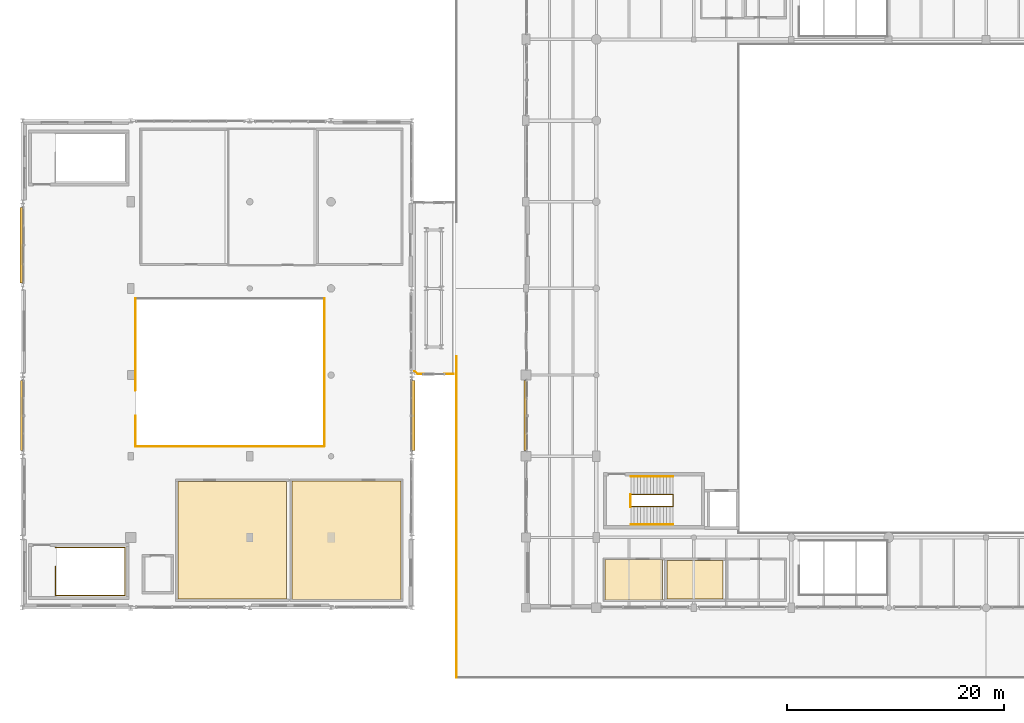
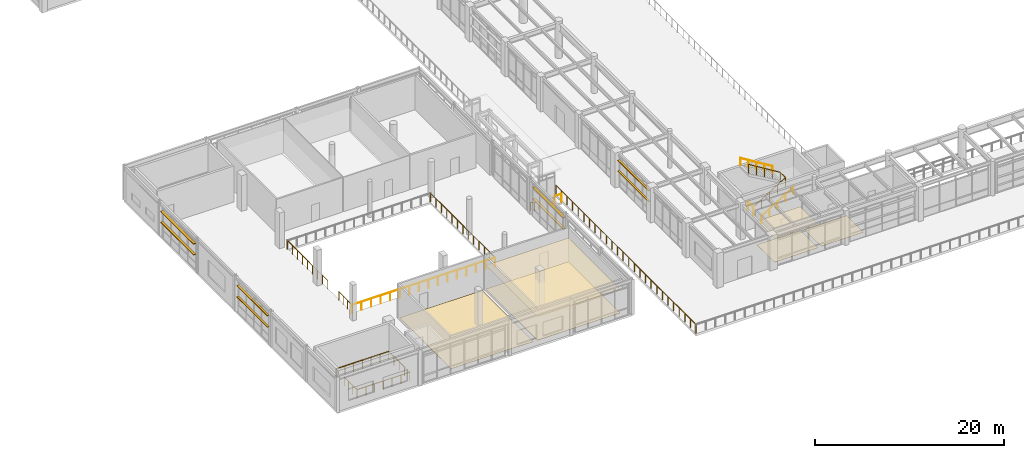
# One storey, part 190 of 200: 12 railings, 8 shading devices, 6 coverings.
"""IFC4 building model written with IfcOpenShell, lengths in metres."""

from ifc_helpers import new_model, si_unit, direction, frame, origin, origin_2d, place, context, subcontext, project, spatial, polyline, rectangle, circle, outline, extrude, material, layer, layer_set, type_object, element, save


model = new_model("IFC4")

# Units and contexts
model_context = context("Model", 3, precision=1e-05, world=origin(), true_north=direction((0.0, 1.0)))
body_context = subcontext(model_context, "Body", "Model", "MODEL_VIEW")
ifc_project = project(units=[si_unit("LENGTHUNIT", "METRE"), si_unit("AREAUNIT", "SQUARE_METRE"), si_unit("VOLUMEUNIT", "CUBIC_METRE"), si_unit("PLANEANGLEUNIT", "RADIAN"), si_unit("MASSUNIT", "GRAM", prefix="KILO"), si_unit("THERMODYNAMICTEMPERATUREUNIT", "KELVIN"), si_unit("POWERUNIT", "WATT")], contexts=[model_context])

# Site, building, storey
site_placement = place(None, origin())
site = spatial("IfcSite", under=ifc_project, at=site_placement, CompositionType="ELEMENT")
building_placement = place(site_placement, origin())
building = spatial("IfcBuilding", under=site, at=building_placement, Name="Tepalcoro Natatorium and Aquatics Centre", CompositionType="ELEMENT")
storey_placement = place(building_placement, frame((0.0, 0.0, 5.39990234375)))
storey = spatial("IfcBuildingStorey", under=building, at=storey_placement, Name="L01", CompositionType="ELEMENT", Elevation=5.39990234375)

# Railings
ifc_material_1 = material(Name="Marine-Grade Brushed Stainless Steel AISI 316L", Category="steel")
railing_type_1 = type_object("IfcRailingType", Name="BL_GLASS_1100", PredefinedType="BALUSTRADE", material=ifc_material_1)
railing_1_placement = place(storey_placement, frame((10.419921875, 21.419921875, 0.0)))
element("IfcRailing", 1, at=railing_1_placement, inside=storey, type_object=railing_type_1, Name="V3 L01 Grand Civic Atrium Mezzanine Balustrade (S)", PredefinedType="BALUSTRADE", context=body_context, shape_type="SweptSolid", body=[
    extrude(circle(Radius=0.02392578125, at=origin_2d()), frame((0.0, 0.0, 1.09619140625), z_axis=(1.0, 0.0, 0.0), x_axis=(0.0, 1.0, 0.0)), (0.0, 0.0, 1.0), 17.4599609375),
    extrude(circle(Radius=0.02099609375, at=origin_2d()), origin(), (0.0, 0.0, 1.0), 1.072021484375),
    extrude(circle(Radius=0.02099609375, at=origin_2d()), frame((1.1640625, 0.0, 0.0)), (0.0, 0.0, 1.0), 1.072021484375),
    extrude(circle(Radius=0.02099609375, at=origin_2d()), frame((2.327880859375, 0.0, 0.0)), (0.0, 0.0, 1.0), 1.072021484375),
    extrude(circle(Radius=0.02099609375, at=origin_2d()), frame((3.491943359375, 0.0, 0.0)), (0.0, 0.0, 1.0), 1.072021484375),
    extrude(circle(Radius=0.02099609375, at=origin_2d()), frame((4.656005859375, 0.0, 0.0)), (0.0, 0.0, 1.0), 1.072021484375),
    extrude(circle(Radius=0.02099609375, at=origin_2d()), frame((5.820068359375, 0.0, 0.0)), (0.0, 0.0, 1.0), 1.072021484375),
    extrude(circle(Radius=0.02099609375, at=origin_2d()), frame((6.98388671875, 0.0, 0.0)), (0.0, 0.0, 1.0), 1.072021484375),
    extrude(circle(Radius=0.02099609375, at=origin_2d()), frame((8.14794921875, 0.0, 0.0)), (0.0, 0.0, 1.0), 1.072021484375),
    extrude(circle(Radius=0.02099609375, at=origin_2d()), frame((9.31201171875, 0.0, 0.0)), (0.0, 0.0, 1.0), 1.072021484375),
    extrude(circle(Radius=0.02099609375, at=origin_2d()), frame((10.47607421875, 0.0, 0.0)), (0.0, 0.0, 1.0), 1.072021484375),
    extrude(circle(Radius=0.02099609375, at=origin_2d()), frame((11.639892578125, 0.0, 0.0)), (0.0, 0.0, 1.0), 1.072021484375),
    extrude(circle(Radius=0.02099609375, at=origin_2d()), frame((12.803955078125, 0.0, 0.0)), (0.0, 0.0, 1.0), 1.072021484375),
    extrude(circle(Radius=0.02099609375, at=origin_2d()), frame((13.968017578125, 0.0, 0.0)), (0.0, 0.0, 1.0), 1.072021484375),
    extrude(circle(Radius=0.02099609375, at=origin_2d()), frame((15.132080078125, 0.0, 0.0)), (0.0, 0.0, 1.0), 1.072021484375),
    extrude(circle(Radius=0.02099609375, at=origin_2d()), frame((16.2958984375, 0.0, 0.0)), (0.0, 0.0, 1.0), 1.072021484375),
    extrude(circle(Radius=0.02099609375, at=origin_2d()), frame((17.4599609375, 0.0, 0.0)), (0.0, 0.0, 1.0), 1.072021484375),
])
railing_2_placement = place(storey_placement, frame((27.8798828125, 21.419921875, 0.0)))
element("IfcRailing", 2, at=railing_2_placement, inside=storey, type_object=railing_type_1, Name="V3 L01 Grand Civic Atrium Mezzanine Balustrade (E)", PredefinedType="BALUSTRADE", context=body_context, shape_type="SweptSolid", body=[
    extrude(circle(Radius=0.02392578125, at=origin_2d()), frame((0.0, 0.0, 1.09619140625), z_axis=(0.0, 1.0, 0.0), x_axis=(-1.0, 0.0, 0.0)), (0.0, 0.0, 1.0), 13.66015625),
    extrude(circle(Radius=0.02099609375, at=origin_2d()), origin(), (0.0, 0.0, 1.0), 1.072021484375),
    extrude(circle(Radius=0.02099609375, at=origin_2d()), frame((0.0, 1.138427734375, 0.0)), (0.0, 0.0, 1.0), 1.072021484375),
    extrude(circle(Radius=0.02099609375, at=origin_2d()), frame((0.0, 2.276611328125, 0.0)), (0.0, 0.0, 1.0), 1.072021484375),
    extrude(circle(Radius=0.02099609375, at=origin_2d()), frame((0.0, 3.4150390625, 0.0)), (0.0, 0.0, 1.0), 1.072021484375),
    extrude(circle(Radius=0.02099609375, at=origin_2d()), frame((0.0, 4.553466796875, 0.0)), (0.0, 0.0, 1.0), 1.072021484375),
    extrude(circle(Radius=0.02099609375, at=origin_2d()), frame((0.0, 5.691650390625, 0.0)), (0.0, 0.0, 1.0), 1.072021484375),
    extrude(circle(Radius=0.02099609375, at=origin_2d()), frame((0.0, 6.830078125, 0.0)), (0.0, 0.0, 1.0), 1.072021484375),
    extrude(circle(Radius=0.02099609375, at=origin_2d()), frame((0.0, 7.968505859375, 0.0)), (0.0, 0.0, 1.0), 1.072021484375),
    extrude(circle(Radius=0.02099609375, at=origin_2d()), frame((0.0, 9.106689453125, 0.0)), (0.0, 0.0, 1.0), 1.072021484375),
    extrude(circle(Radius=0.02099609375, at=origin_2d()), frame((0.0, 10.2451171875, 0.0)), (0.0, 0.0, 1.0), 1.072021484375),
    extrude(circle(Radius=0.02099609375, at=origin_2d()), frame((0.0, 11.383544921875, 0.0)), (0.0, 0.0, 1.0), 1.072021484375),
    extrude(circle(Radius=0.02099609375, at=origin_2d()), frame((0.0, 12.521728515625, 0.0)), (0.0, 0.0, 1.0), 1.072021484375),
    extrude(circle(Radius=0.02099609375, at=origin_2d()), frame((0.0, 13.66015625, 0.0)), (0.0, 0.0, 1.0), 1.072021484375),
])
railing_3_placement = place(storey_placement, frame((10.419921875, 35.080078125, 0.0)))
element("IfcRailing", 3, at=railing_3_placement, inside=storey, type_object=railing_type_1, Name="V3 L01 Grand Civic Atrium Mezzanine Balustrade (W-1)", PredefinedType="BALUSTRADE", context=body_context, shape_type="SweptSolid", body=[
    extrude(circle(Radius=0.02392578125, at=origin_2d()), frame((0.0, 0.0, 1.09619140625), z_axis=(0.0, -1.0, 0.0), x_axis=(1.0, 0.0, 0.0)), (0.0, 0.0, 1.0), 8.5),
    extrude(circle(Radius=0.02099609375, at=origin_2d()), origin(), (0.0, 0.0, 1.0), 1.072021484375),
    extrude(circle(Radius=0.02099609375, at=origin_2d()), frame((0.0, -1.0625, 0.0)), (0.0, 0.0, 1.0), 1.072021484375),
    extrude(circle(Radius=0.02099609375, at=origin_2d()), frame((0.0, -2.125, 0.0)), (0.0, 0.0, 1.0), 1.072021484375),
    extrude(circle(Radius=0.02099609375, at=origin_2d()), frame((0.0, -3.1875, 0.0)), (0.0, 0.0, 1.0), 1.072021484375),
    extrude(circle(Radius=0.02099609375, at=origin_2d()), frame((0.0, -4.25, 0.0)), (0.0, 0.0, 1.0), 1.072021484375),
    extrude(circle(Radius=0.02099609375, at=origin_2d()), frame((0.0, -5.3125, 0.0)), (0.0, 0.0, 1.0), 1.072021484375),
    extrude(circle(Radius=0.02099609375, at=origin_2d()), frame((0.0, -6.375, 0.0)), (0.0, 0.0, 1.0), 1.072021484375),
    extrude(circle(Radius=0.02099609375, at=origin_2d()), frame((0.0, -7.4375, 0.0)), (0.0, 0.0, 1.0), 1.072021484375),
    extrude(circle(Radius=0.02099609375, at=origin_2d()), frame((0.0, -8.5, 0.0)), (0.0, 0.0, 1.0), 1.072021484375),
])
railing_4_placement = place(storey_placement, frame((10.419921875, 24.22998046875, 0.0)))
element("IfcRailing", 4, at=railing_4_placement, inside=storey, type_object=railing_type_1, Name="V3 L01 Grand Civic Atrium Mezzanine Balustrade (W-2)", PredefinedType="BALUSTRADE", context=body_context, shape_type="SweptSolid", body=[
    extrude(circle(Radius=0.02392578125, at=origin_2d()), frame((0.0, 0.0, 1.09619140625), z_axis=(0.0, -1.0, 0.0), x_axis=(1.0, 0.0, 0.0)), (0.0, 0.0, 1.0), 2.81005859375),
    extrude(circle(Radius=0.02099609375, at=origin_2d()), origin(), (0.0, 0.0, 1.0), 1.072021484375),
    extrude(circle(Radius=0.02099609375, at=origin_2d()), frame((0.0, -0.936767578125, 0.0)), (0.0, 0.0, 1.0), 1.072021484375),
    extrude(circle(Radius=0.02099609375, at=origin_2d()), frame((0.0, -1.873291015625, 0.0)), (0.0, 0.0, 1.0), 1.072021484375),
    extrude(circle(Radius=0.02099609375, at=origin_2d()), frame((0.0, -2.81005859375, 0.0)), (0.0, 0.0, 1.0), 1.072021484375),
])

# Coverings
ifc_material_2 = material(Name="Perforated Corrosion-Resistant Acoustic Aluminium Baffle Ceiling", Category="aluminium")
ifc_layer_1 = layer(ifc_material_2, 0.044921875)
ifc_layer_set_1 = layer_set([ifc_layer_1], Name="Perforated Corrosion-Resistant Acoustic Aluminium Baffle Ceiling")
covering_type_1 = type_object("IfcCoveringType", Name="CL_BAFFLE_120", PredefinedType="CEILING", material=ifc_layer_set_1)
covering_1_placement = place(storey_placement, frame((0.0, 0.0, 3.050048828125)))
element("IfcCovering", 5, at=covering_1_placement, inside=storey, type_object=covering_type_1, Name="Herbal Tepidarium & Cold Plunge Relaxation Hall Suspended Ceiling", PredefinedType="CEILING", context=body_context, shape_type="SweptSolid", body=[
    extrude(outline(polyline([(24.8798828125, 7.2900390625), (24.8798828125, 18.2099609375), (34.969970703125, 18.2099609375), (34.969970703125, 7.2900390625), (24.8798828125, 7.2900390625)])), origin(), (0.0, 0.0, 1.0), 0.045166015625),
])
ifc_layer_2 = layer(ifc_material_2, 0.0400390625)
ifc_layer_set_2 = layer_set([ifc_layer_2], Name="Perforated Corrosion-Resistant Acoustic Aluminium Baffle Ceiling")
covering_type_2 = type_object("IfcCoveringType", Name="CL_PERF_AL_40", PredefinedType="CEILING", material=ifc_layer_set_2)
covering_2_placement = place(storey_placement, frame((0.0, 0.0, 3.050048828125)))
element("IfcCovering", 6, at=covering_2_placement, inside=storey, type_object=covering_type_2, Name="South Concourse Refreshment Kiosk West Suspended Ceiling", PredefinedType="CEILING", context=body_context, shape_type="SweptSolid", body=[
    extrude(outline(polyline([(53.780029296875, 7.239990234375), (53.780029296875, 10.9599609375), (59.0869140625, 10.9599609375), (59.0869140625, 7.239990234375), (53.780029296875, 7.239990234375)])), origin(), (0.0, 0.0, 1.0), 0.0400390625),
])
ifc_material_3 = material(Name="Slip-Resistant Porcelain Aquatic Deck Tile")
ifc_layer_3 = layer(ifc_material_3, 0.02197265625)
ifc_layer_set_3 = layer_set([ifc_layer_3], Name="Slip-Resistant Porcelain Aquatic Deck Tile")
covering_type_3 = type_object("IfcCoveringType", Name="FL_DECK_TILE_22", PredefinedType="FLOORING", material=ifc_layer_set_3)
covering_3_placement = place(storey_placement, origin())
element("IfcCovering", 7, at=covering_3_placement, inside=storey, type_object=covering_type_3, Name="South Concourse Refreshment Kiosk West Floor Finish", PredefinedType="FLOORING", context=body_context, shape_type="SweptSolid", body=[
    extrude(outline(polyline([(53.780029296875, 7.239990234375), (53.780029296875, 10.9599609375), (59.0869140625, 10.9599609375), (59.0869140625, 7.239990234375), (53.780029296875, 7.239990234375)])), origin(), (0.0, 0.0, 1.0), 0.022216796875),
])
ifc_material_4 = material(Name="Polished Jalisco Basalt Aggregate Terrazzo Flooring", Category="masonry")
ifc_layer_4 = layer(ifc_material_4, 0.028076171875)
ifc_layer_set_4 = layer_set([ifc_layer_4], Name="Polished Jalisco Basalt Aggregate Terrazzo Flooring")
covering_type_4 = type_object("IfcCoveringType", Name="FL_TERRAZZO_25", PredefinedType="FLOORING", material=ifc_layer_set_4)
covering_4_placement = place(storey_placement, origin())
element("IfcCovering", 8, at=covering_4_placement, inside=storey, type_object=covering_type_4, Name="Herbal Tepidarium & Cold Plunge Relaxation Hall Floor Finish", PredefinedType="FLOORING", context=body_context, shape_type="SweptSolid", body=[
    extrude(outline(polyline([(24.8798828125, 7.2900390625), (24.8798828125, 18.2099609375), (34.969970703125, 18.2099609375), (34.969970703125, 7.2900390625), (24.8798828125, 7.2900390625)])), origin(), (0.0, 0.0, 1.0), 0.028076171875),
])
ifc_material_5 = material(Name="Sprung Maple Sports Floor Assembly")
ifc_layer_5 = layer(ifc_material_5, 0.02392578125)
ifc_layer_set_5 = layer_set([ifc_layer_5], Name="Sprung Maple Sports Floor Assembly")
covering_type_5 = type_object("IfcCoveringType", Name="FL_WOOD_22", PredefinedType="FLOORING", material=ifc_layer_set_5)
covering_5_placement = place(storey_placement, origin())
element("IfcCovering", 9, at=covering_5_placement, inside=storey, type_object=covering_type_5, Name="Spectator Male & Female Toilets SW Floor Finish", PredefinedType="FLOORING", context=body_context, shape_type="SweptSolid", body=[
    extrude(outline(polyline([(59.51708984375, 7.31005859375), (59.51708984375, 10.889892578125), (64.68310546875, 10.889892578125), (64.68310546875, 7.31005859375), (59.51708984375, 7.31005859375)])), origin(), (0.0, 0.0, 1.0), 0.024169921875),
])
covering_6_placement = place(storey_placement, origin())
element("IfcCovering", 10, at=covering_6_placement, inside=storey, type_object=covering_type_5, Name="Thermal Bathhouse Volcanic Steam & Sauna Suite Floor Finish", PredefinedType="FLOORING", context=body_context, shape_type="SweptSolid", body=[
    extrude(outline(polyline([(14.35009765625, 7.31005859375), (14.35009765625, 18.18994140625), (24.39990234375, 18.18994140625), (24.39990234375, 7.31005859375), (14.35009765625, 7.31005859375)])), origin(), (0.0, 0.0, 1.0), 0.024169921875),
])

# Railings
railing_type_2 = type_object("IfcRailingType", Name="RL_GLASS_1100", PredefinedType="GUARDRAIL", material=ifc_material_1)
railing_5_placement = place(storey_placement, frame((3.06005859375, 10.330078125, 0.0)))
element("IfcRailing", 11, at=railing_5_placement, inside=storey, type_object=railing_type_2, Name="ST05 Top Floor Stairwell Guardrail (L01)", PredefinedType="GUARDRAIL", context=body_context, shape_type="SweptSolid", body=[
    extrude(circle(Radius=0.02392578125, at=origin_2d()), frame((0.0, 0.0, 1.09619140625), z_axis=(0.0, -1.0, 0.0), x_axis=(1.0, 0.0, 0.0)), (0.0, 0.0, 1.0), 2.7001953125),
    extrude(circle(Radius=0.02392578125, at=origin_2d()), frame((0.0, -2.7001953125, 1.09619140625), z_axis=(1.0, 0.0, 0.0), x_axis=(0.0, 1.0, 0.0)), (0.0, 0.0, 1.0), 6.429931640625),
    extrude(circle(Radius=0.02392578125, at=origin_2d()), frame((6.429931640625, -2.7001953125, 1.09619140625), z_axis=(0.0, 1.0, 0.0), x_axis=(-1.0, 0.0, 0.0)), (0.0, 0.0, 1.0), 4.440185546875),
    extrude(circle(Radius=0.02392578125, at=origin_2d()), frame((6.429931640625, 1.739990234375, 1.09619140625), z_axis=(-1.0, 0.0, 0.0), x_axis=(0.0, -1.0, 0.0)), (0.0, 0.0, 1.0), 6.429931640625),
    extrude(circle(Radius=0.02099609375, at=origin_2d()), origin(), (0.0, 0.0, 1.0), 1.072021484375),
    extrude(circle(Radius=0.02099609375, at=origin_2d()), frame((0.0, -0.900146484375, 0.0)), (0.0, 0.0, 1.0), 1.072021484375),
    extrude(circle(Radius=0.02099609375, at=origin_2d()), frame((0.0, -1.800048828125, 0.0)), (0.0, 0.0, 1.0), 1.072021484375),
    extrude(circle(Radius=0.02099609375, at=origin_2d()), frame((0.0, -2.7001953125, 0.0)), (0.0, 0.0, 1.0), 1.072021484375),
    extrude(circle(Radius=0.02099609375, at=origin_2d()), frame((1.07177734375, -2.7001953125, 0.0)), (0.0, 0.0, 1.0), 1.072021484375),
    extrude(circle(Radius=0.02099609375, at=origin_2d()), frame((2.143310546875, -2.7001953125, 0.0)), (0.0, 0.0, 1.0), 1.072021484375),
    extrude(circle(Radius=0.02099609375, at=origin_2d()), frame((3.21484375, -2.7001953125, 0.0)), (0.0, 0.0, 1.0), 1.072021484375),
    extrude(circle(Radius=0.02099609375, at=origin_2d()), frame((4.28662109375, -2.7001953125, 0.0)), (0.0, 0.0, 1.0), 1.072021484375),
    extrude(circle(Radius=0.02099609375, at=origin_2d()), frame((5.3583984375, -2.7001953125, 0.0)), (0.0, 0.0, 1.0), 1.072021484375),
    extrude(circle(Radius=0.02099609375, at=origin_2d()), frame((6.429931640625, -2.7001953125, 0.0)), (0.0, 0.0, 1.0), 1.072021484375),
    extrude(circle(Radius=0.02099609375, at=origin_2d()), frame((6.429931640625, -1.590087890625, 0.0)), (0.0, 0.0, 1.0), 1.072021484375),
    extrude(circle(Radius=0.02099609375, at=origin_2d()), frame((6.429931640625, -0.47998046875, 0.0)), (0.0, 0.0, 1.0), 1.072021484375),
    extrude(circle(Radius=0.02099609375, at=origin_2d()), frame((6.429931640625, 0.6298828125, 0.0)), (0.0, 0.0, 1.0), 1.072021484375),
    extrude(circle(Radius=0.02099609375, at=origin_2d()), frame((6.429931640625, 1.739990234375, 0.0)), (0.0, 0.0, 1.0), 1.072021484375),
    extrude(circle(Radius=0.02099609375, at=origin_2d()), frame((5.3583984375, 1.739990234375, 0.0)), (0.0, 0.0, 1.0), 1.072021484375),
    extrude(circle(Radius=0.02099609375, at=origin_2d()), frame((4.28662109375, 1.739990234375, 0.0)), (0.0, 0.0, 1.0), 1.072021484375),
    extrude(circle(Radius=0.02099609375, at=origin_2d()), frame((3.21484375, 1.739990234375, 0.0)), (0.0, 0.0, 1.0), 1.072021484375),
    extrude(circle(Radius=0.02099609375, at=origin_2d()), frame((2.143310546875, 1.739990234375, 0.0)), (0.0, 0.0, 1.0), 1.072021484375),
    extrude(circle(Radius=0.02099609375, at=origin_2d()), frame((1.07177734375, 1.739990234375, 0.0)), (0.0, 0.0, 1.0), 1.072021484375),
    extrude(circle(Radius=0.02099609375, at=origin_2d()), frame((0.0, 1.739990234375, 0.0)), (0.0, 0.0, 1.0), 1.072021484375),
])
railing_6_placement = place(storey_placement, frame((36.2099609375, 28.35009765625, 0.0)))
element("IfcRailing", 12, at=railing_6_placement, inside=storey, type_object=railing_type_2, Name="West Foyer Seismic Link L01 Seismic Joint Edge Guard SW", PredefinedType="GUARDRAIL", context=body_context, shape_type="SweptSolid", body=[
    extrude(circle(Radius=0.02392578125, at=origin_2d()), frame((0.0, 0.0, 1.09619140625), z_axis=(0.743324219436, -0.668931315457, 0.0), x_axis=(0.668931315457, 0.743324219436, 0.0)), (0.0, 0.0, 1.0), 0.403564453125),
    extrude(circle(Radius=0.02392578125, at=origin_2d()), frame((0.300048828125, -0.27001953125, 1.09619140625), z_axis=(1.0, 0.0, 0.0), x_axis=(0.0, 1.0, 0.0)), (0.0, 0.0, 1.0), 0.5400390625),
    extrude(circle(Radius=0.02099609375, at=origin_2d()), origin(), (0.0, 0.0, 1.0), 1.072021484375),
    extrude(circle(Radius=0.02099609375, at=origin_2d()), frame((0.300048828125, -0.27001953125, 0.0)), (0.0, 0.0, 1.0), 1.072021484375),
    extrude(circle(Radius=0.02099609375, at=origin_2d()), frame((0.840087890625, -0.27001953125, 0.0)), (0.0, 0.0, 1.0), 1.072021484375),
])
railing_7_placement = place(storey_placement, frame((38.949951171875, 28.080078125, 0.0)))
element("IfcRailing", 13, at=railing_7_placement, inside=storey, type_object=railing_type_2, Name="West Foyer Seismic Link L01 Seismic Joint Edge Guard SE", PredefinedType="GUARDRAIL", context=body_context, shape_type="SweptSolid", body=[
    extrude(circle(Radius=0.02392578125, at=origin_2d()), frame((0.0, 0.0, 1.09619140625), z_axis=(1.0, 0.0, 0.0), x_axis=(0.0, 1.0, 0.0)), (0.0, 0.0, 1.0), 0.860107421875),
    extrude(circle(Radius=0.02099609375, at=origin_2d()), origin(), (0.0, 0.0, 1.0), 1.072021484375),
    extrude(circle(Radius=0.02099609375, at=origin_2d()), frame((0.860107421875, 0.0, 0.0)), (0.0, 0.0, 1.0), 1.072021484375),
])
railing_type_3 = type_object("IfcRailingType", Name="RL_HAND_920_SS", PredefinedType="HANDRAIL", material=ifc_material_1)
railing_8_placement = place(storey_placement, frame((56.199951171875, 14.179931640625, 0.0)))
element("IfcRailing", 14, at=railing_8_placement, inside=storey, type_object=railing_type_3, Name="ST01-L01 Wall Handrail F1", PredefinedType="HANDRAIL", context=body_context, shape_type="SweptSolid", body=[
    extrude(circle(Radius=0.02392578125, at=origin_2d()), frame((0.0, 0.0, 0.89599609375), z_axis=(0.851652825334, 0.0, 0.524106349037), x_axis=(0.0, 1.0, 0.0)), (0.0, 0.0, 1.0), 4.57958984375),
    extrude(circle(Radius=0.02099609375, at=origin_2d()), origin(), (0.0, 0.0, 1.0), 0.871826171875),
    extrude(circle(Radius=0.02099609375, at=origin_2d()), frame((0.97509765625, 0.0, 0.60009765625)), (0.0, 0.0, 1.0), 0.871826171875),
    extrude(circle(Radius=0.02099609375, at=origin_2d()), frame((1.9501953125, 0.0, 1.2001953125)), (0.0, 0.0, 1.0), 0.871826171875),
    extrude(circle(Radius=0.02099609375, at=origin_2d()), frame((2.925048828125, 0.0, 1.800048828125)), (0.0, 0.0, 1.0), 0.871826171875),
    extrude(circle(Radius=0.02099609375, at=origin_2d()), frame((3.900146484375, 0.0, 2.400146484375)), (0.0, 0.0, 1.0), 0.871826171875),
])
railing_9_placement = place(storey_placement, frame((60.10009765625, 18.6201171875, 2.400146484375)))
element("IfcRailing", 15, at=railing_9_placement, inside=storey, type_object=railing_type_3, Name="ST01-L01 Wall Handrail F2", PredefinedType="HANDRAIL", context=body_context, shape_type="SweptSolid", body=[
    extrude(circle(Radius=0.02392578125, at=origin_2d()), frame((0.0, 0.0, 0.89599609375), z_axis=(-0.851676621109, 0.0, 0.524067679844), x_axis=(0.0, -1.0, 0.0)), (0.0, 0.0, 1.0), 4.579345703125),
    extrude(circle(Radius=0.02099609375, at=origin_2d()), origin(), (0.0, 0.0, 1.0), 0.871826171875),
    extrude(circle(Radius=0.02099609375, at=origin_2d()), frame((-0.97509765625, 0.0, 0.60009765625)), (0.0, 0.0, 1.0), 0.871826171875),
    extrude(circle(Radius=0.02099609375, at=origin_2d()), frame((-1.9501953125, 0.0, 1.199951171875)), (0.0, 0.0, 1.0), 0.871826171875),
    extrude(circle(Radius=0.02099609375, at=origin_2d()), frame((-2.925048828125, 0.0, 1.7998046875)), (0.0, 0.0, 1.0), 0.871826171875),
    extrude(circle(Radius=0.02099609375, at=origin_2d()), frame((-3.900146484375, 0.0, 2.39990234375)), (0.0, 0.0, 1.0), 0.871826171875),
])
railing_type_4 = type_object("IfcRailingType", Name="RL_PERF_1100", PredefinedType="GUARDRAIL", material=ifc_material_1)
railing_10_placement = place(storey_placement, frame((56.199951171875, 15.85009765625, 0.0)))
element("IfcRailing", 16, at=railing_10_placement, inside=storey, type_object=railing_type_4, Name="ST01-L01 Inner Stairwell Guardrail", PredefinedType="GUARDRAIL", context=body_context, shape_type="SweptSolid", body=[
    extrude(circle(Radius=0.02392578125, at=origin_2d()), frame((0.0, 0.0, 1.11572265625), z_axis=(0.851652825334, 0.0, 0.524106349037), x_axis=(0.0, 1.0, 0.0)), (0.0, 0.0, 1.0), 4.57958984375),
    extrude(circle(Radius=0.02392578125, at=origin_2d()), frame((3.900146484375, 0.0, 3.51611328125), z_axis=(0.0, 1.0, 0.0), x_axis=(-1.0, 0.0, 0.0)), (0.0, 0.0, 1.0), 1.099853515625),
    extrude(circle(Radius=0.02392578125, at=origin_2d()), frame((3.900146484375, 1.099853515625, 3.51611328125), z_axis=(-0.851676621109, 0.0, 0.524067679844), x_axis=(0.0, -1.0, 0.0)), (0.0, 0.0, 1.0), 4.579345703125),
    extrude(circle(Radius=0.02099609375, at=origin_2d()), origin(), (0.0, 0.0, 1.0), 1.091796875),
    extrude(circle(Radius=0.02099609375, at=origin_2d()), frame((0.97509765625, 0.0, 0.60009765625)), (0.0, 0.0, 1.0), 1.091796875),
    extrude(circle(Radius=0.02099609375, at=origin_2d()), frame((1.9501953125, 0.0, 1.2001953125)), (0.0, 0.0, 1.0), 1.091796875),
    extrude(circle(Radius=0.02099609375, at=origin_2d()), frame((2.925048828125, 0.0, 1.800048828125)), (0.0, 0.0, 1.0), 1.091796875),
    extrude(circle(Radius=0.02099609375, at=origin_2d()), frame((3.900146484375, 0.0, 2.400146484375)), (0.0, 0.0, 1.0), 1.091796875),
    extrude(circle(Radius=0.02099609375, at=origin_2d()), frame((3.900146484375, 1.099853515625, 2.400146484375)), (0.0, 0.0, 1.0), 1.091796875),
    extrude(circle(Radius=0.02099609375, at=origin_2d()), frame((2.925048828125, 1.099853515625, 3.0)), (0.0, 0.0, 1.0), 1.091796875),
    extrude(circle(Radius=0.02099609375, at=origin_2d()), frame((1.9501953125, 1.099853515625, 3.60009765625)), (0.0, 0.0, 1.0), 1.091796875),
    extrude(circle(Radius=0.02099609375, at=origin_2d()), frame((0.97509765625, 1.099853515625, 4.2001953125)), (0.0, 0.0, 1.0), 1.091796875),
    extrude(circle(Radius=0.02099609375, at=origin_2d()), frame((0.0, 1.099853515625, 4.800048828125)), (0.0, 0.0, 1.0), 1.091796875),
])
railing_11_placement = place(storey_placement, frame((56.169921875, 15.81005859375, 0.0)))
element("IfcRailing", 17, at=railing_11_placement, inside=storey, type_object=railing_type_4, Name="ST01-L01 Landing Well Slot Guard", PredefinedType="GUARDRAIL", context=body_context, shape_type="SweptSolid", body=[
    extrude(circle(Radius=0.02392578125, at=origin_2d()), frame((0.0, 0.0, 1.11572265625), z_axis=(0.0, 1.0, 0.0), x_axis=(-1.0, 0.0, 0.0)), (0.0, 0.0, 1.0), 1.179931640625),
    extrude(circle(Radius=0.02099609375, at=origin_2d()), origin(), (0.0, 0.0, 1.0), 1.091796875),
    extrude(circle(Radius=0.02099609375, at=origin_2d()), frame((0.0, 1.179931640625, 0.0)), (0.0, 0.0, 1.0), 1.091796875),
])
railing_12_placement = place(storey_placement, frame((40.080078125, 29.719970703125, 0.0)))
element("IfcRailing", 18, at=railing_12_placement, inside=storey, type_object=railing_type_4, Name="V1 L01 Planted Terrace Perimeter Guardrail (W-2)", PredefinedType="GUARDRAIL", context=body_context, shape_type="SweptSolid", body=[
    extrude(circle(Radius=0.02392578125, at=origin_2d()), frame((0.0, 0.0, 1.11572265625), z_axis=(0.0, -1.0, 0.0), x_axis=(1.0, 0.0, 0.0)), (0.0, 0.0, 1.0), 29.639892578125),
    extrude(circle(Radius=0.02099609375, at=origin_2d()), origin(), (0.0, 0.0, 1.0), 1.091796875),
    extrude(circle(Radius=0.02099609375, at=origin_2d()), frame((0.0, -1.185546875, 0.0)), (0.0, 0.0, 1.0), 1.091796875),
    extrude(circle(Radius=0.02099609375, at=origin_2d()), frame((0.0, -2.37109375, 0.0)), (0.0, 0.0, 1.0), 1.091796875),
    extrude(circle(Radius=0.02099609375, at=origin_2d()), frame((0.0, -3.556884765625, 0.0)), (0.0, 0.0, 1.0), 1.091796875),
    extrude(circle(Radius=0.02099609375, at=origin_2d()), frame((0.0, -4.742431640625, 0.0)), (0.0, 0.0, 1.0), 1.091796875),
    extrude(circle(Radius=0.02099609375, at=origin_2d()), frame((0.0, -5.927978515625, 0.0)), (0.0, 0.0, 1.0), 1.091796875),
    extrude(circle(Radius=0.02099609375, at=origin_2d()), frame((0.0, -7.113525390625, 0.0)), (0.0, 0.0, 1.0), 1.091796875),
    extrude(circle(Radius=0.02099609375, at=origin_2d()), frame((0.0, -8.299072265625, 0.0)), (0.0, 0.0, 1.0), 1.091796875),
    extrude(circle(Radius=0.02099609375, at=origin_2d()), frame((0.0, -9.48486328125, 0.0)), (0.0, 0.0, 1.0), 1.091796875),
    extrude(circle(Radius=0.02099609375, at=origin_2d()), frame((0.0, -10.67041015625, 0.0)), (0.0, 0.0, 1.0), 1.091796875),
    extrude(circle(Radius=0.02099609375, at=origin_2d()), frame((0.0, -11.85595703125, 0.0)), (0.0, 0.0, 1.0), 1.091796875),
    extrude(circle(Radius=0.02099609375, at=origin_2d()), frame((0.0, -13.04150390625, 0.0)), (0.0, 0.0, 1.0), 1.091796875),
    extrude(circle(Radius=0.02099609375, at=origin_2d()), frame((0.0, -14.22705078125, 0.0)), (0.0, 0.0, 1.0), 1.091796875),
    extrude(circle(Radius=0.02099609375, at=origin_2d()), frame((0.0, -15.412841796875, 0.0)), (0.0, 0.0, 1.0), 1.091796875),
    extrude(circle(Radius=0.02099609375, at=origin_2d()), frame((0.0, -16.598388671875, 0.0)), (0.0, 0.0, 1.0), 1.091796875),
    extrude(circle(Radius=0.02099609375, at=origin_2d()), frame((0.0, -17.783935546875, 0.0)), (0.0, 0.0, 1.0), 1.091796875),
    extrude(circle(Radius=0.02099609375, at=origin_2d()), frame((0.0, -18.969482421875, 0.0)), (0.0, 0.0, 1.0), 1.091796875),
    extrude(circle(Radius=0.02099609375, at=origin_2d()), frame((0.0, -20.155029296875, 0.0)), (0.0, 0.0, 1.0), 1.091796875),
    extrude(circle(Radius=0.02099609375, at=origin_2d()), frame((0.0, -21.3408203125, 0.0)), (0.0, 0.0, 1.0), 1.091796875),
    extrude(circle(Radius=0.02099609375, at=origin_2d()), frame((0.0, -22.5263671875, 0.0)), (0.0, 0.0, 1.0), 1.091796875),
    extrude(circle(Radius=0.02099609375, at=origin_2d()), frame((0.0, -23.7119140625, 0.0)), (0.0, 0.0, 1.0), 1.091796875),
    extrude(circle(Radius=0.02099609375, at=origin_2d()), frame((0.0, -24.8974609375, 0.0)), (0.0, 0.0, 1.0), 1.091796875),
    extrude(circle(Radius=0.02099609375, at=origin_2d()), frame((0.0, -26.0830078125, 0.0)), (0.0, 0.0, 1.0), 1.091796875),
    extrude(circle(Radius=0.02099609375, at=origin_2d()), frame((0.0, -27.268798828125, 0.0)), (0.0, 0.0, 1.0), 1.091796875),
    extrude(circle(Radius=0.02099609375, at=origin_2d()), frame((0.0, -28.454345703125, 0.0)), (0.0, 0.0, 1.0), 1.091796875),
    extrude(circle(Radius=0.02099609375, at=origin_2d()), frame((0.0, -29.639892578125, 0.0)), (0.0, 0.0, 1.0), 1.091796875),
])

# Shading devices
ifc_material_6 = material(Name="Bronze-Anodised Extruded Aluminium Alloy EN AW-6063 T6", Category="aluminium")
shading_device_type_1 = type_object("IfcShadingDeviceType", Name="SHD_FIN_BRONZE", PredefinedType="SHUTTER", material=ifc_material_6)
for number, where, z_axis, x_axis, name in (
    (19, (-0.074951171875, 40.0, 2.05029296875), (0.0, 0.0, 1.0), (1.0, 0.0, 0.0), "Solar Shading Brise-Soleil SHD_FIN_BRONZE"),
    (20, (-0.074951171875, 40.0, 3.444091796875), (0.0, 0.0, 1.0), (1.0, 0.0, 0.0), "Solar Shading Brise-Soleil SHD_FIN_BRONZE"),
):
    element("IfcShadingDevice", number, at=place(storey_placement, frame(where, z_axis=z_axis, x_axis=x_axis)), inside=storey, type_object=shading_device_type_1, Name=name, PredefinedType="SHUTTER", context=body_context, shape_type="SweptSolid", body=[
        extrude(rectangle(XDim=0.300048828125, YDim=6.9599609375, at=origin_2d()), origin(), (0.0, 0.0, 1.0), 0.080078125),
    ])
for number, where, z_axis, x_axis, name in (
    (21, (36.09375, 24.25, 2.105712890625), (0.0, 0.0, 1.0), (1.0, 0.0, 0.0), "Solar Shading Brise-Soleil SHD_FIN_BRONZE"),
    (22, (36.09375, 24.25, 3.567138671875), (0.0, 0.0, 1.0), (1.0, 0.0, 0.0), "Solar Shading Brise-Soleil SHD_FIN_BRONZE"),
):
    element("IfcShadingDevice", number, at=place(storey_placement, frame(where, z_axis=z_axis, x_axis=x_axis)), inside=storey, type_object=shading_device_type_1, Name=name, PredefinedType="SHUTTER", context=body_context, shape_type="SweptSolid", body=[
        extrude(rectangle(XDim=0.300048828125, YDim=6.4599609375, at=origin_2d()), origin(), (0.0, 0.0, 1.0), 0.080078125),
    ])
shading_device_type_2 = type_object("IfcShadingDeviceType", Name="SHD_LOUVRE_AL", PredefinedType="JALOUSIE", material=ifc_material_6)
for number, where, z_axis, x_axis, name in (
    (23, (46.445068359375, 24.25, 2.0517578125), (0.0, 0.0, 1.0), (1.0, 0.0, 0.0), "Solar Shading Brise-Soleil SHD_LOUVRE_AL"),
    (24, (46.445068359375, 24.25, 3.447021484375), (0.0, 0.0, 1.0), (1.0, 0.0, 0.0), "Solar Shading Brise-Soleil SHD_LOUVRE_AL"),
    (25, (-0.044921875, 24.25, 2.105712890625), (0.0, 0.0, 1.0), (1.0, 0.0, 0.0), "Solar Shading Brise-Soleil SHD_LOUVRE_AL"),
    (26, (-0.044921875, 24.25, 3.567138671875), (0.0, 0.0, 1.0), (1.0, 0.0, 0.0), "Solar Shading Brise-Soleil SHD_LOUVRE_AL"),
):
    element("IfcShadingDevice", number, at=place(storey_placement, frame(where, z_axis=z_axis, x_axis=x_axis)), inside=storey, type_object=shading_device_type_2, Name=name, PredefinedType="JALOUSIE", context=body_context, shape_type="SweptSolid", body=[
        extrude(rectangle(XDim=0.239990234375, YDim=6.4599609375, at=origin_2d()), origin(), (0.0, 0.0, 1.0), 0.080078125),
    ])

save(model, "model.ifc")
